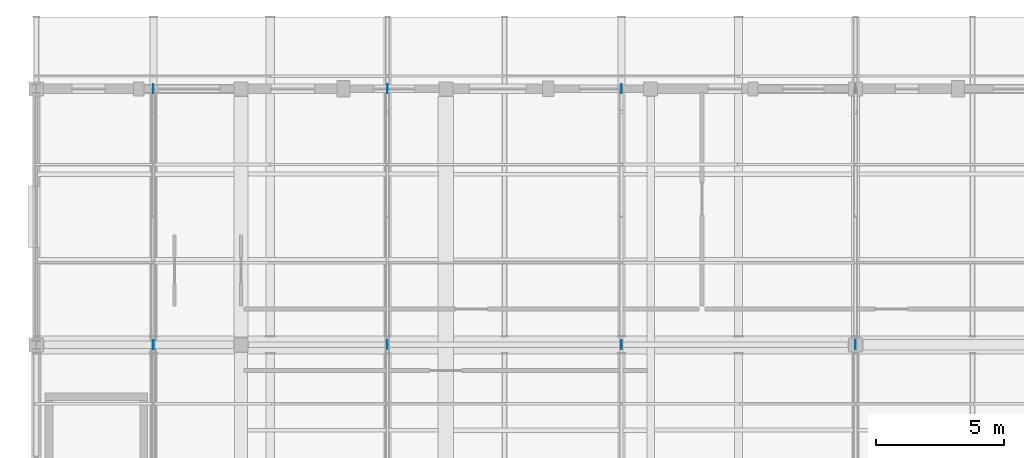
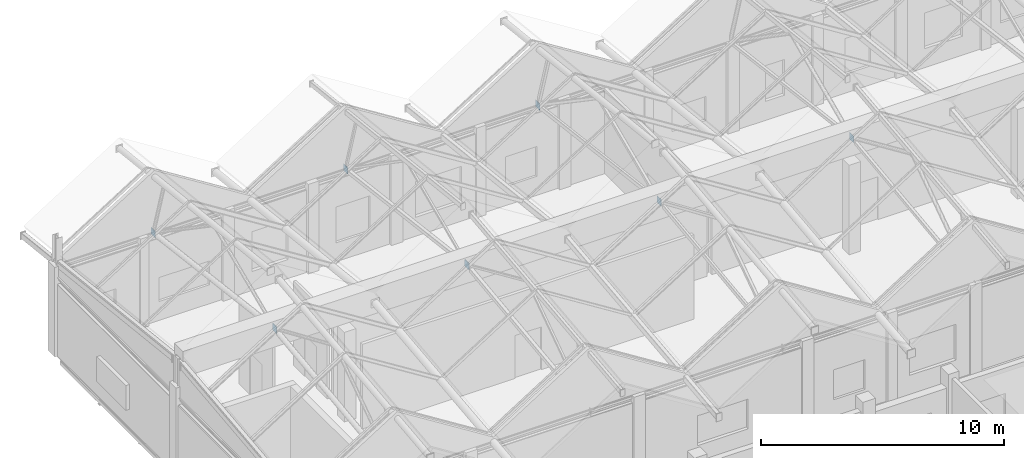
# One storey, part 134 of 183: 7 plates.
"""IFC4 building model written with IfcOpenShell, lengths in metres."""

import ifcopenshell
import ifcopenshell.guid

model = None  # the IFC model being written
_history = None  # IfcOwnerHistory: only IFC2X3 demands one
_inside = {}  # id of a spatial element -> (the spatial element, [elements in it])
_under = {}  # id of a project, library or spatial element -> (it, [spatial elements below it])
_declared = {}  # id of a project -> (the project, [libraries it declares])
_typed = {}  # id of a type object -> (the type object, [elements of that type])
_made_of = {}  # id of a material, layer set ... -> (it, [elements and type objects made of it])


def new_model(schema):
    """Start an empty IFC model of exactly this schema.

    Asked for "IFC4X3", IfcOpenShell would pick the latest addendum, in which some entities
    have other attributes; the version numbers below select the first issue.
    IFC2X3 requires an IfcOwnerHistory on every rooted entity: one is made here for all.
    """
    global model, _history
    if schema == "IFC4X3":
        model = ifcopenshell.file(schema_version=(4, 3, 0, 0))
    else:
        model = ifcopenshell.file(schema=schema)
    _inside.clear()
    _under.clear()
    _declared.clear()
    _typed.clear()
    _made_of.clear()
    _history = None
    if model.schema == "IFC2X3":
        org = make("IfcOrganization", Name="unknown")
        user = make(
            "IfcPersonAndOrganization",
            ThePerson=make("IfcPerson", FamilyName="unknown"),
            TheOrganization=org,
        )
        app = make(
            "IfcApplication",
            ApplicationDeveloper=org,
            Version="unknown",
            ApplicationFullName="unknown",
            ApplicationIdentifier="unknown",
        )
        _history = make(
            "IfcOwnerHistory",
            OwningUser=user,
            OwningApplication=app,
            ChangeAction="ADDED",
            CreationDate=0,
        )
    return model


def make(cls, **values):
    """One entity of the class cls with the attributes given. An attribute that is None is left unset."""
    return model.create_entity(
        cls, **{name: value for name, value in values.items() if value is not None}
    )


def rooted(cls, **values):
    """An entity with a GlobalId (a new one), such as an element, a storey or a relation."""
    return make(cls, GlobalId=ifcopenshell.guid.new(), OwnerHistory=_history, **values)


def si_unit(unit_type, name, prefix=None):
    """IfcSIUnit, for example si_unit("LENGTHUNIT", "METRE", prefix="MILLI")."""
    return make("IfcSIUnit", UnitType=unit_type, Prefix=prefix, Name=name)


def assignment(units):
    """IfcUnitAssignment: the units of a project."""
    return None if units is None else make("IfcUnitAssignment", Units=units)


def point(xyz):
    """IfcCartesianPoint."""
    return None if xyz is None else make("IfcCartesianPoint", Coordinates=xyz)


def direction(xyz):
    """IfcDirection."""
    return None if xyz is None else make("IfcDirection", DirectionRatios=xyz)


def frame(location, z_axis=None, x_axis=None):
    """IfcAxis2Placement3D, a coordinate frame: its origin and axes. An axis left out is left unset."""
    return make(
        "IfcAxis2Placement3D",
        Location=point(location),
        Axis=direction(z_axis),
        RefDirection=direction(x_axis),
    )


def frame_2d(location, x_axis=None):
    """IfcAxis2Placement2D, a coordinate frame in the plane: its origin and x axis."""
    return make(
        "IfcAxis2Placement2D", Location=point(location), RefDirection=direction(x_axis)
    )


def origin():
    """The frame at (0, 0, 0) with its axes left unset."""
    return frame((0.0, 0.0, 0.0))


def origin_2d():
    """The frame at (0, 0) in the plane with its x axis left unset."""
    return frame_2d((0.0, 0.0))


def place(relative_to, where):
    """IfcLocalPlacement: puts the frame where relative to a parent placement (None: the world)."""
    return make(
        "IfcLocalPlacement", PlacementRelTo=relative_to, RelativePlacement=where
    )


def context(
    kind, dimensions, precision=None, world=None, true_north=None, identifier=None
):
    """IfcGeometricRepresentationContext, for example the 3D "Model" context."""
    return make(
        "IfcGeometricRepresentationContext",
        ContextIdentifier=identifier,
        ContextType=kind,
        CoordinateSpaceDimension=dimensions,
        Precision=precision,
        WorldCoordinateSystem=world,
        TrueNorth=true_north,
    )


def subcontext(parent, identifier, kind, view, scale=None):
    """IfcGeometricRepresentationSubContext, for example "Body" below "Model"."""
    return make(
        "IfcGeometricRepresentationSubContext",
        ContextIdentifier=identifier,
        ContextType=kind,
        ParentContext=parent,
        TargetScale=scale,
        TargetView=view,
    )


def project(units=None, contexts=None):
    """IfcProject with its units and contexts."""
    return rooted(
        "IfcProject",
        Name="project",
        RepresentationContexts=contexts,
        UnitsInContext=assignment(units),
    )


def spatial(cls, under=None, at=None, **own):
    """A site, building, storey or space (cls), placed at a placement, below another one or the project."""
    s = rooted(cls, ObjectPlacement=at, **own)
    if under is not None:
        _under.setdefault(under.id(), (under, []))[1].append(s)
    return s


def profile(cls, at=None, kind="AREA", **sizes):
    """A parametric profile (cls). Its sizes go by their IFC names, for example OverallWidth=200.0."""
    return make(cls, ProfileType=kind, Position=at, **sizes)


def rectangle(**sizes):
    """IfcRectangleProfileDef."""
    return profile("IfcRectangleProfileDef", **sizes)


def extrude(swept, where, along, depth):
    """IfcExtrudedAreaSolid: the profile swept, set in the frame where, extruded along a direction by depth."""
    return make(
        "IfcExtrudedAreaSolid",
        SweptArea=swept,
        Position=where,
        ExtrudedDirection=direction(along),
        Depth=depth,
    )


def shape(context_of_items, identifier, shape_type, items):
    """IfcShapeRepresentation: the items that make up one representation, for example the "Body"."""
    return make(
        "IfcShapeRepresentation",
        ContextOfItems=context_of_items,
        RepresentationIdentifier=identifier,
        RepresentationType=shape_type,
        Items=items,
    )


def material(Name=None, Category=None):
    """IfcMaterial."""
    return make("IfcMaterial", Name=Name, Category=Category)


def layer(
    of_material, thickness, ventilated=None, Name=None, Category=None, Priority=None
):
    """IfcMaterialLayer: one layer of a wall or slab, of a material (None: an air gap)."""
    return make(
        "IfcMaterialLayer",
        Material=of_material,
        LayerThickness=thickness,
        IsVentilated=ventilated,
        Name=Name,
        Category=Category,
        Priority=Priority,
    )


def layer_set(layers, Name=None):
    """IfcMaterialLayerSet."""
    return make("IfcMaterialLayerSet", MaterialLayers=layers, LayerSetName=Name)


def made_of(thing, what):
    """Note that an element or type object is made of a material, layer set ...; save() writes the relation."""
    if what is not None:
        _made_of.setdefault(what.id(), (what, []))[1].append(thing)
    return thing


def type_object(cls, material=None, **own):
    """A type object (cls), such as IfcWallType, which elements share."""
    return made_of(rooted(cls, **own), material)


def element(
    cls,
    number,
    at=None,
    inside=None,
    cuts=None,
    type_object=None,
    material=None,
    context=None,
    identifier="Body",
    shape_type=None,
    held_by="IfcProductDefinitionShape",
    body=None,
    shapes=None,
    **own,
):
    """One element of the class cls, such as IfcWall. Its Tag is "e" and its number.

    at: its placement. inside: the storey or other place that contains it. cuts: it is an
    opening in that element (IfcRelVoidsElement). A single representation is given by context,
    identifier, shape_type and body (its items); several are given by shapes. held_by: the class
    of the entity that holds the representations. save() writes the other relations.
    """
    e = rooted(cls, Tag="e%d" % number, ObjectPlacement=at, **own)
    if body is not None:
        shapes = [shape(context, identifier, shape_type, body)]
    if shapes is not None:
        e.Representation = make(held_by, Representations=shapes)
    if inside is not None:
        _inside.setdefault(inside.id(), (inside, []))[1].append(e)
    if cuts is not None:
        rooted(
            "IfcRelVoidsElement", RelatingBuildingElement=cuts, RelatedOpeningElement=e
        )
    if type_object is not None:
        _typed.setdefault(type_object.id(), (type_object, []))[1].append(e)
    return made_of(e, material)


def aggregate(whole, parts):
    """IfcRelAggregates: a whole, such as a stair, and the parts it consists of."""
    return rooted("IfcRelAggregates", RelatingObject=whole, RelatedObjects=parts)


def save(model, path):
    """Write the relations noted so far, then the file.

    IfcRelAggregates (storeys below a building ...), IfcRelContainedInSpatialStructure (elements
    in a storey), IfcRelDefinesByType, IfcRelAssociatesMaterial and IfcRelDeclares: one each for
    every whole, place, type object, material and project.
    """
    for whole, parts in _under.values():
        aggregate(whole, parts)
    for where, things in _inside.values():
        rooted(
            "IfcRelContainedInSpatialStructure",
            RelatedElements=things,
            RelatingStructure=where,
        )
    for kind, things in _typed.values():
        rooted("IfcRelDefinesByType", RelatedObjects=things, RelatingType=kind)
    for what, things in _made_of.values():
        rooted("IfcRelAssociatesMaterial", RelatedObjects=things, RelatingMaterial=what)
    for by, libraries in _declared.values():
        rooted("IfcRelDeclares", RelatingContext=by, RelatedDefinitions=libraries)
    model.write(path)


model = new_model("IFC4")

# Units and contexts
model_context = context("Model", 3, precision=1e-05, world=origin(), true_north=direction((0.0, 1.0)))
body_context = subcontext(model_context, "Body", "Model", "MODEL_VIEW")
ifc_project = project(units=[si_unit("LENGTHUNIT", "METRE"), si_unit("AREAUNIT", "SQUARE_METRE"), si_unit("VOLUMEUNIT", "CUBIC_METRE"), si_unit("PLANEANGLEUNIT", "RADIAN"), si_unit("MASSUNIT", "GRAM", prefix="KILO")], contexts=[model_context])

# Site, building, storey
site_placement = place(None, origin())
site = spatial("IfcSite", under=ifc_project, at=site_placement, CompositionType="ELEMENT")
building_placement = place(site_placement, origin())
building = spatial("IfcBuilding", under=site, at=building_placement, Name="Luwemba Playhouse", CompositionType="ELEMENT")
storey_placement = place(building_placement, frame((0.0, 0.0, 4.800048828125)))
storey = spatial("IfcBuildingStorey", under=building, at=storey_placement, Name="L01", CompositionType="ELEMENT", Elevation=4.800048828125)

# Plates
ifc_material = material(Name="Steel S355", Category="steel")
ifc_layer_1 = layer(ifc_material, 0.01611328125)
ifc_layer_set_1 = layer_set([ifc_layer_1], Name="Steel S355")
plate_type_1 = type_object("IfcPlateType", Name="PLT-GP1", PredefinedType="USERDEFINED", material=ifc_layer_set_1)
for number, where, z_axis, x_axis, name in (
    (1, (8.5712890625, 115.0, 4.22998046875), (0.0, 0.0, 1.0), (1.0, 0.0, 0.0), "Truss node gusset cap plate 0156"),
    (2, (17.71435546875, 115.0, 4.22998046875), (0.0, 0.0, 1.0), (1.0, 0.0, 0.0), "Truss node gusset cap plate 0159"),
    (3, (26.857177734375, 115.0, 4.22998046875), (0.0, 0.0, 1.0), (1.0, 0.0, 0.0), "Truss node gusset cap plate 0162"),
):
    element("IfcPlate", number, at=place(storey_placement, frame(where, z_axis=z_axis, x_axis=x_axis)), inside=storey, type_object=plate_type_1, Name=name, ObjectType="GUSSET PLATE", PredefinedType="USERDEFINED", context=body_context, shape_type="SweptSolid", body=[
        extrude(rectangle(XDim=0.01611328125, YDim=0.340087890625, at=origin_2d()), origin(), (0.0, 0.0, 1.0), 0.340087890625),
    ])
ifc_layer_2 = layer(ifc_material, 0.02490234375)
ifc_layer_set_2 = layer_set([ifc_layer_2], Name="Steel S355")
plate_type_2 = type_object("IfcPlateType", Name="PLT-GP3", PredefinedType="USERDEFINED", material=ifc_layer_set_2)
for number, where, z_axis, x_axis, name in (
    (4, (8.5712890625, 105.0, 5.4716796875), (0.0, 0.0, 1.0), (1.0, 0.0, 0.0), "Truss node gusset cap plate 0155"),
    (5, (17.71435546875, 105.0, 5.4716796875), (0.0, 0.0, 1.0), (1.0, 0.0, 0.0), "Truss node gusset cap plate 0158"),
    (6, (26.857177734375, 105.0, 5.4716796875), (0.0, 0.0, 1.0), (1.0, 0.0, 0.0), "Truss node gusset cap plate 0161"),
    (7, (36.0, 105.0, 5.4716796875), (0.0, 0.0, 1.0), (1.0, 0.0, 0.0), "Truss node gusset cap plate 0164"),
):
    element("IfcPlate", number, at=place(storey_placement, frame(where, z_axis=z_axis, x_axis=x_axis)), inside=storey, type_object=plate_type_2, Name=name, ObjectType="GUSSET PLATE", PredefinedType="USERDEFINED", context=body_context, shape_type="SweptSolid", body=[
        extrude(rectangle(XDim=0.02490234375, YDim=0.340087890625, at=origin_2d()), origin(), (0.0, 0.0, 1.0), 0.340087890625),
    ])

save(model, "model.ifc")
